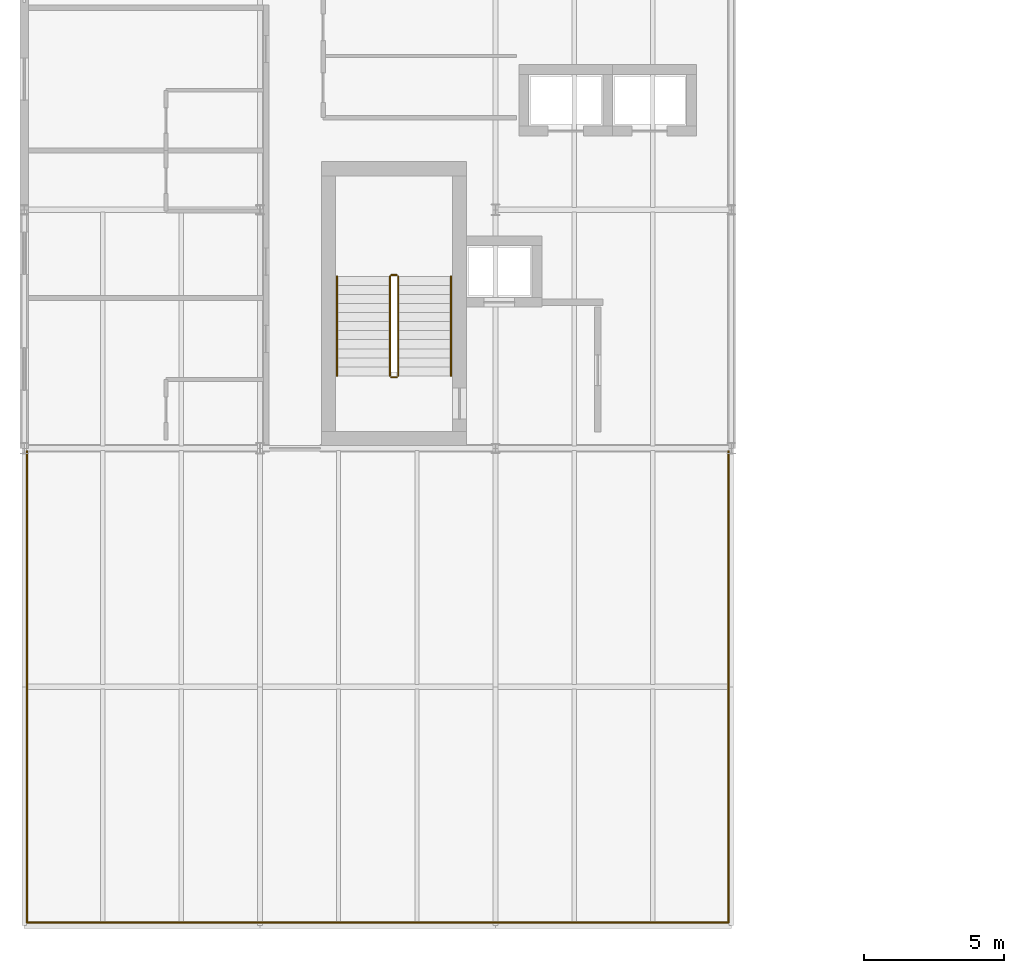
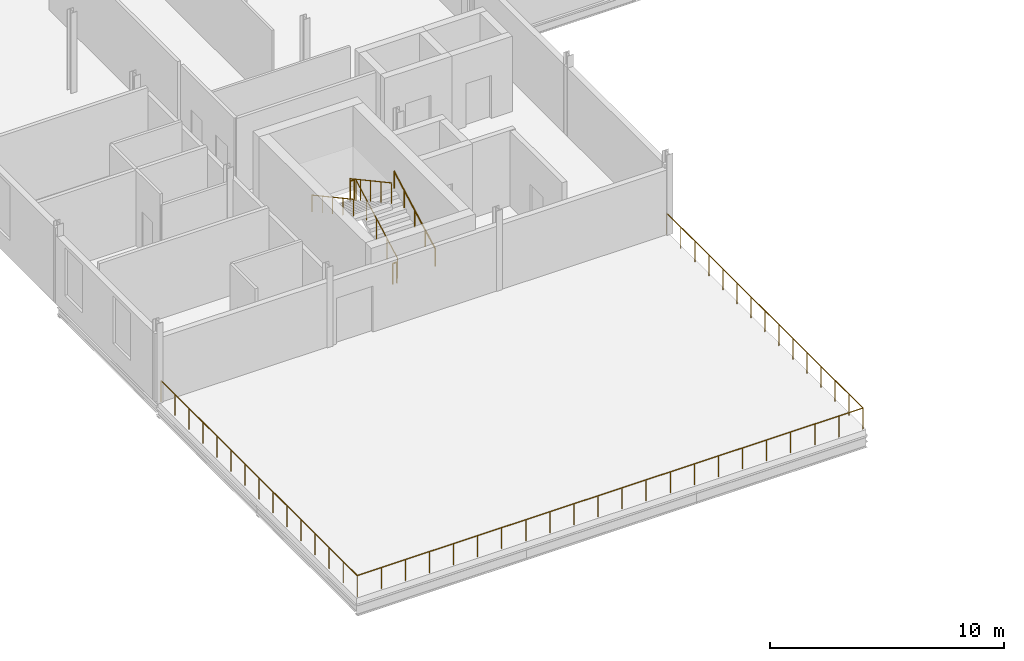
# One storey, part 19 of 22: 9 railings.
"""IFC4 building model written with IfcOpenShell, lengths in metres."""

from ifc_helpers import new_model, si_unit, direction, frame, origin, origin_2d, place, context, subcontext, project, spatial, circle, extrude, material, type_object, element, save


model = new_model("IFC4")

# Units and contexts
model_context = context("Model", 3, precision=1e-05, world=origin(), true_north=direction((0.0, 1.0)))
body_context = subcontext(model_context, "Body", "Model", "MODEL_VIEW")
ifc_project = project(units=[si_unit("LENGTHUNIT", "METRE"), si_unit("AREAUNIT", "SQUARE_METRE"), si_unit("VOLUMEUNIT", "CUBIC_METRE"), si_unit("PLANEANGLEUNIT", "RADIAN"), si_unit("MASSUNIT", "GRAM", prefix="KILO")], contexts=[model_context])

# Site, building, storey
site_placement = place(None, origin())
site = spatial("IfcSite", under=ifc_project, at=site_placement, CompositionType="ELEMENT")
building_placement = place(site_placement, origin())
building = spatial("IfcBuilding", under=site, at=building_placement, Name="Sefraquen Railside Congress Hotel", CompositionType="ELEMENT")
storey_placement = place(building_placement, frame((0.0, 0.0, 42.60009765625)))
storey = spatial("IfcBuildingStorey", under=building, at=storey_placement, Name="L10", CompositionType="ELEMENT", Elevation=42.60009765625)

# Railings
ifc_material = material(Name="Patinated wrought architectural bronze", Category="metal")
railing_type_1 = type_object("IfcRailingType", Name="TRL-BAL-110", PredefinedType="BALUSTRADE", material=ifc_material)
railing_1_placement = place(storey_placement, frame((0.10009765625, 79.39990234375, 0.0)))
element("IfcRailing", 1, at=railing_1_placement, inside=storey, type_object=railing_type_1, Name="Hotel L10 Sky Terrace balustrade", PredefinedType="BALUSTRADE", context=body_context, shape_type="SweptSolid", body=[
    extrude(circle(Radius=0.02392578125, at=origin_2d()), frame((0.0, 0.0, 1.09619140625), z_axis=(0.0, -1.0, 0.0), x_axis=(1.0, 0.0, 0.0)), (0.0, 0.0, 1.0), 16.7998046875),
    extrude(circle(Radius=0.02099609375, at=origin_2d()), origin(), (0.0, 0.0, 1.0), 1.072021484375),
    extrude(circle(Radius=0.02099609375, at=origin_2d()), frame((0.0, -1.199951171875, 0.0)), (0.0, 0.0, 1.0), 1.072021484375),
    extrude(circle(Radius=0.02099609375, at=origin_2d()), frame((0.0, -2.39990234375, 0.0)), (0.0, 0.0, 1.0), 1.072021484375),
    extrude(circle(Radius=0.02099609375, at=origin_2d()), frame((0.0, -3.599853515625, 0.0)), (0.0, 0.0, 1.0), 1.072021484375),
    extrude(circle(Radius=0.02099609375, at=origin_2d()), frame((0.0, -4.800048828125, 0.0)), (0.0, 0.0, 1.0), 1.072021484375),
    extrude(circle(Radius=0.02099609375, at=origin_2d()), frame((0.0, -6.0, 0.0)), (0.0, 0.0, 1.0), 1.072021484375),
    extrude(circle(Radius=0.02099609375, at=origin_2d()), frame((0.0, -7.199951171875, 0.0)), (0.0, 0.0, 1.0), 1.072021484375),
    extrude(circle(Radius=0.02099609375, at=origin_2d()), frame((0.0, -8.39990234375, 0.0)), (0.0, 0.0, 1.0), 1.072021484375),
    extrude(circle(Radius=0.02099609375, at=origin_2d()), frame((0.0, -9.599853515625, 0.0)), (0.0, 0.0, 1.0), 1.072021484375),
    extrude(circle(Radius=0.02099609375, at=origin_2d()), frame((0.0, -10.7998046875, 0.0)), (0.0, 0.0, 1.0), 1.072021484375),
    extrude(circle(Radius=0.02099609375, at=origin_2d()), frame((0.0, -11.999755859375, 0.0)), (0.0, 0.0, 1.0), 1.072021484375),
    extrude(circle(Radius=0.02099609375, at=origin_2d()), frame((0.0, -13.199951171875, 0.0)), (0.0, 0.0, 1.0), 1.072021484375),
    extrude(circle(Radius=0.02099609375, at=origin_2d()), frame((0.0, -14.39990234375, 0.0)), (0.0, 0.0, 1.0), 1.072021484375),
    extrude(circle(Radius=0.02099609375, at=origin_2d()), frame((0.0, -15.599853515625, 0.0)), (0.0, 0.0, 1.0), 1.072021484375),
    extrude(circle(Radius=0.02099609375, at=origin_2d()), frame((0.0, -16.7998046875, 0.0)), (0.0, 0.0, 1.0), 1.072021484375),
])
railing_2_placement = place(storey_placement, frame((0.10009765625, 62.60009765625, 0.0)))
element("IfcRailing", 2, at=railing_2_placement, inside=storey, type_object=railing_type_1, Name="Hotel L10 Sky Terrace balustrade", PredefinedType="BALUSTRADE", context=body_context, shape_type="SweptSolid", body=[
    extrude(circle(Radius=0.02392578125, at=origin_2d()), frame((0.0, 0.0, 1.09619140625), z_axis=(1.0, 0.0, 0.0), x_axis=(0.0, 1.0, 0.0)), (0.0, 0.0, 1.0), 25.0),
    extrude(circle(Radius=0.02099609375, at=origin_2d()), origin(), (0.0, 0.0, 1.0), 1.072021484375),
    extrude(circle(Radius=0.02099609375, at=origin_2d()), frame((1.1904296875, 0.0, 0.0)), (0.0, 0.0, 1.0), 1.072021484375),
    extrude(circle(Radius=0.02099609375, at=origin_2d()), frame((2.380859375, 0.0, 0.0)), (0.0, 0.0, 1.0), 1.072021484375),
    extrude(circle(Radius=0.02099609375, at=origin_2d()), frame((3.571533203125, 0.0, 0.0)), (0.0, 0.0, 1.0), 1.072021484375),
    extrude(circle(Radius=0.02099609375, at=origin_2d()), frame((4.761962890625, 0.0, 0.0)), (0.0, 0.0, 1.0), 1.072021484375),
    extrude(circle(Radius=0.02099609375, at=origin_2d()), frame((5.952392578125, 0.0, 0.0)), (0.0, 0.0, 1.0), 1.072021484375),
    extrude(circle(Radius=0.02099609375, at=origin_2d()), frame((7.142822265625, 0.0, 0.0)), (0.0, 0.0, 1.0), 1.072021484375),
    extrude(circle(Radius=0.02099609375, at=origin_2d()), frame((8.333251953125, 0.0, 0.0)), (0.0, 0.0, 1.0), 1.072021484375),
    extrude(circle(Radius=0.02099609375, at=origin_2d()), frame((9.52392578125, 0.0, 0.0)), (0.0, 0.0, 1.0), 1.072021484375),
    extrude(circle(Radius=0.02099609375, at=origin_2d()), frame((10.71435546875, 0.0, 0.0)), (0.0, 0.0, 1.0), 1.072021484375),
    extrude(circle(Radius=0.02099609375, at=origin_2d()), frame((11.90478515625, 0.0, 0.0)), (0.0, 0.0, 1.0), 1.072021484375),
    extrude(circle(Radius=0.02099609375, at=origin_2d()), frame((13.09521484375, 0.0, 0.0)), (0.0, 0.0, 1.0), 1.072021484375),
    extrude(circle(Radius=0.02099609375, at=origin_2d()), frame((14.28564453125, 0.0, 0.0)), (0.0, 0.0, 1.0), 1.072021484375),
    extrude(circle(Radius=0.02099609375, at=origin_2d()), frame((15.47607421875, 0.0, 0.0)), (0.0, 0.0, 1.0), 1.072021484375),
    extrude(circle(Radius=0.02099609375, at=origin_2d()), frame((16.666748046875, 0.0, 0.0)), (0.0, 0.0, 1.0), 1.072021484375),
    extrude(circle(Radius=0.02099609375, at=origin_2d()), frame((17.857177734375, 0.0, 0.0)), (0.0, 0.0, 1.0), 1.072021484375),
    extrude(circle(Radius=0.02099609375, at=origin_2d()), frame((19.047607421875, 0.0, 0.0)), (0.0, 0.0, 1.0), 1.072021484375),
    extrude(circle(Radius=0.02099609375, at=origin_2d()), frame((20.238037109375, 0.0, 0.0)), (0.0, 0.0, 1.0), 1.072021484375),
    extrude(circle(Radius=0.02099609375, at=origin_2d()), frame((21.428466796875, 0.0, 0.0)), (0.0, 0.0, 1.0), 1.072021484375),
    extrude(circle(Radius=0.02099609375, at=origin_2d()), frame((22.619140625, 0.0, 0.0)), (0.0, 0.0, 1.0), 1.072021484375),
    extrude(circle(Radius=0.02099609375, at=origin_2d()), frame((23.8095703125, 0.0, 0.0)), (0.0, 0.0, 1.0), 1.072021484375),
    extrude(circle(Radius=0.02099609375, at=origin_2d()), frame((25.0, 0.0, 0.0)), (0.0, 0.0, 1.0), 1.072021484375),
])
railing_3_placement = place(storey_placement, frame((25.10009765625, 62.60009765625, 0.0)))
element("IfcRailing", 3, at=railing_3_placement, inside=storey, type_object=railing_type_1, Name="Hotel L10 Sky Terrace balustrade", PredefinedType="BALUSTRADE", context=body_context, shape_type="SweptSolid", body=[
    extrude(circle(Radius=0.02392578125, at=origin_2d()), frame((0.0, 0.0, 1.09619140625), z_axis=(0.0, 1.0, 0.0), x_axis=(-1.0, 0.0, 0.0)), (0.0, 0.0, 1.0), 16.7998046875),
    extrude(circle(Radius=0.02099609375, at=origin_2d()), origin(), (0.0, 0.0, 1.0), 1.072021484375),
    extrude(circle(Radius=0.02099609375, at=origin_2d()), frame((0.0, 1.199951171875, 0.0)), (0.0, 0.0, 1.0), 1.072021484375),
    extrude(circle(Radius=0.02099609375, at=origin_2d()), frame((0.0, 2.39990234375, 0.0)), (0.0, 0.0, 1.0), 1.072021484375),
    extrude(circle(Radius=0.02099609375, at=origin_2d()), frame((0.0, 3.599853515625, 0.0)), (0.0, 0.0, 1.0), 1.072021484375),
    extrude(circle(Radius=0.02099609375, at=origin_2d()), frame((0.0, 4.800048828125, 0.0)), (0.0, 0.0, 1.0), 1.072021484375),
    extrude(circle(Radius=0.02099609375, at=origin_2d()), frame((0.0, 6.0, 0.0)), (0.0, 0.0, 1.0), 1.072021484375),
    extrude(circle(Radius=0.02099609375, at=origin_2d()), frame((0.0, 7.199951171875, 0.0)), (0.0, 0.0, 1.0), 1.072021484375),
    extrude(circle(Radius=0.02099609375, at=origin_2d()), frame((0.0, 8.39990234375, 0.0)), (0.0, 0.0, 1.0), 1.072021484375),
    extrude(circle(Radius=0.02099609375, at=origin_2d()), frame((0.0, 9.599853515625, 0.0)), (0.0, 0.0, 1.0), 1.072021484375),
    extrude(circle(Radius=0.02099609375, at=origin_2d()), frame((0.0, 10.7998046875, 0.0)), (0.0, 0.0, 1.0), 1.072021484375),
    extrude(circle(Radius=0.02099609375, at=origin_2d()), frame((0.0, 11.999755859375, 0.0)), (0.0, 0.0, 1.0), 1.072021484375),
    extrude(circle(Radius=0.02099609375, at=origin_2d()), frame((0.0, 13.199951171875, 0.0)), (0.0, 0.0, 1.0), 1.072021484375),
    extrude(circle(Radius=0.02099609375, at=origin_2d()), frame((0.0, 14.39990234375, 0.0)), (0.0, 0.0, 1.0), 1.072021484375),
    extrude(circle(Radius=0.02099609375, at=origin_2d()), frame((0.0, 15.599853515625, 0.0)), (0.0, 0.0, 1.0), 1.072021484375),
    extrude(circle(Radius=0.02099609375, at=origin_2d()), frame((0.0, 16.7998046875, 0.0)), (0.0, 0.0, 1.0), 1.072021484375),
])
railing_4_placement = place(storey_placement, frame((13.330078125, 82.080078125, 0.1748046875)))
element("IfcRailing", 4, at=railing_4_placement, inside=storey, type_object=railing_type_1, Name="L10 ST-H01 stair guard 1", PredefinedType="BALUSTRADE", context=body_context, shape_type="SweptSolid", body=[
    extrude(circle(Radius=0.02392578125, at=origin_2d()), frame((0.0, 0.0, 1.076171875), z_axis=(0.0, 0.878618985891, 0.477523483854), x_axis=(-1.0, 0.0, 0.0)), (0.0, 0.0, 1.0), 4.03125),
    extrude(circle(Radius=0.02099609375, at=origin_2d()), origin(), (0.0, 0.0, 1.0), 1.052001953125),
    extrude(circle(Radius=0.02099609375, at=origin_2d()), frame((0.0, 0.885498046875, 0.481201171875)), (0.0, 0.0, 1.0), 1.052001953125),
    extrude(circle(Radius=0.02099609375, at=origin_2d()), frame((0.0, 1.77099609375, 0.96240234375)), (0.0, 0.0, 1.0), 1.052001953125),
    extrude(circle(Radius=0.02099609375, at=origin_2d()), frame((0.0, 2.656494140625, 1.44384765625)), (0.0, 0.0, 1.0), 1.052001953125),
    extrude(circle(Radius=0.02099609375, at=origin_2d()), frame((0.0, 3.5419921875, 1.925048828125)), (0.0, 0.0, 1.0), 1.052001953125),
])
railing_5_placement = place(storey_placement, frame((13.280029296875, 85.672119140625, 2.099853515625)))
element("IfcRailing", 5, at=railing_5_placement, inside=storey, type_object=railing_type_1, Name="L10 ST-H01 stair guard 2", PredefinedType="BALUSTRADE", context=body_context, shape_type="SweptSolid", body=[
    extrude(circle(Radius=0.02392578125, at=origin_2d()), frame((0.0, 0.0, 1.076171875), z_axis=(-1.0, 0.0, 0.0), x_axis=(0.0, -1.0, 0.0)), (0.0, 0.0, 1.0), 0.199951171875),
    extrude(circle(Radius=0.02099609375, at=origin_2d()), origin(), (0.0, 0.0, 1.0), 1.052001953125),
    extrude(circle(Radius=0.02099609375, at=origin_2d()), frame((-0.199951171875, 0.0, 0.0)), (0.0, 0.0, 1.0), 1.052001953125),
])
railing_6_placement = place(storey_placement, frame((13.030029296875, 85.6220703125, 2.27490234375)))
element("IfcRailing", 6, at=railing_6_placement, inside=storey, type_object=railing_type_1, Name="L10 ST-H01 stair guard 3", PredefinedType="BALUSTRADE", context=body_context, shape_type="SweptSolid", body=[
    extrude(circle(Radius=0.02392578125, at=origin_2d()), frame((0.0, 0.0, 1.076171875), z_axis=(0.0, -0.878618985891, 0.477523483854), x_axis=(1.0, 0.0, 0.0)), (0.0, 0.0, 1.0), 4.03125),
    extrude(circle(Radius=0.02099609375, at=origin_2d()), origin(), (0.0, 0.0, 1.0), 1.052001953125),
    extrude(circle(Radius=0.02099609375, at=origin_2d()), frame((0.0, -0.885498046875, 0.481201171875)), (0.0, 0.0, 1.0), 1.052001953125),
    extrude(circle(Radius=0.02099609375, at=origin_2d()), frame((0.0, -1.77099609375, 0.96240234375)), (0.0, 0.0, 1.0), 1.052001953125),
    extrude(circle(Radius=0.02099609375, at=origin_2d()), frame((0.0, -2.656494140625, 1.44384765625)), (0.0, 0.0, 1.0), 1.052001953125),
    extrude(circle(Radius=0.02099609375, at=origin_2d()), frame((0.0, -3.5419921875, 1.925048828125)), (0.0, 0.0, 1.0), 1.052001953125),
])
railing_7_placement = place(storey_placement, frame((13.280029296875, 82.030029296875, 0.0)))
element("IfcRailing", 7, at=railing_7_placement, inside=storey, type_object=railing_type_1, Name="L10 ST-H01 stair guard 4", PredefinedType="BALUSTRADE", context=body_context, shape_type="SweptSolid", body=[
    extrude(circle(Radius=0.02392578125, at=origin_2d()), frame((0.0, 0.0, 1.076171875), z_axis=(-1.0, 0.0, 0.0), x_axis=(0.0, -1.0, 0.0)), (0.0, 0.0, 1.0), 0.199951171875),
    extrude(circle(Radius=0.02099609375, at=origin_2d()), origin(), (0.0, 0.0, 1.0), 1.052001953125),
    extrude(circle(Radius=0.02099609375, at=origin_2d()), frame((-0.199951171875, 0.0, 0.0)), (0.0, 0.0, 1.0), 1.052001953125),
])
railing_type_2 = type_object("IfcRailingType", Name="TRL-HR-090", PredefinedType="HANDRAIL", material=ifc_material)
railing_8_placement = place(storey_placement, frame((15.2099609375, 82.080078125, 0.1748046875)))
element("IfcRailing", 8, at=railing_8_placement, inside=storey, type_object=railing_type_2, Name="L10 ST-H01 stair handrail 1", PredefinedType="HANDRAIL", context=body_context, shape_type="SweptSolid", body=[
    extrude(circle(Radius=0.02392578125, at=origin_2d()), frame((0.0, 0.0, 0.8759765625), z_axis=(0.0, 0.878618985891, 0.477523483854), x_axis=(-1.0, 0.0, 0.0)), (0.0, 0.0, 1.0), 4.03125),
    extrude(circle(Radius=0.02099609375, at=origin_2d()), origin(), (0.0, 0.0, 1.0), 0.851806640625),
    extrude(circle(Radius=0.02099609375, at=origin_2d()), frame((0.0, 0.885498046875, 0.481201171875)), (0.0, 0.0, 1.0), 0.851806640625),
    extrude(circle(Radius=0.02099609375, at=origin_2d()), frame((0.0, 1.77099609375, 0.96240234375)), (0.0, 0.0, 1.0), 0.851806640625),
    extrude(circle(Radius=0.02099609375, at=origin_2d()), frame((0.0, 2.656494140625, 1.44384765625)), (0.0, 0.0, 1.0), 0.851806640625),
    extrude(circle(Radius=0.02099609375, at=origin_2d()), frame((0.0, 3.5419921875, 1.925048828125)), (0.0, 0.0, 1.0), 0.851806640625),
])
railing_9_placement = place(storey_placement, frame((11.14990234375, 85.6220703125, 2.27490234375)))
element("IfcRailing", 9, at=railing_9_placement, inside=storey, type_object=railing_type_2, Name="L10 ST-H01 stair handrail 2", PredefinedType="HANDRAIL", context=body_context, shape_type="SweptSolid", body=[
    extrude(circle(Radius=0.02392578125, at=origin_2d()), frame((0.0, 0.0, 0.8759765625), z_axis=(0.0, -0.878618985891, 0.477523483854), x_axis=(1.0, 0.0, 0.0)), (0.0, 0.0, 1.0), 4.03125),
    extrude(circle(Radius=0.02099609375, at=origin_2d()), origin(), (0.0, 0.0, 1.0), 0.851806640625),
    extrude(circle(Radius=0.02099609375, at=origin_2d()), frame((0.0, -0.885498046875, 0.481201171875)), (0.0, 0.0, 1.0), 0.851806640625),
    extrude(circle(Radius=0.02099609375, at=origin_2d()), frame((0.0, -1.77099609375, 0.96240234375)), (0.0, 0.0, 1.0), 0.851806640625),
    extrude(circle(Radius=0.02099609375, at=origin_2d()), frame((0.0, -2.656494140625, 1.44384765625)), (0.0, 0.0, 1.0), 0.851806640625),
    extrude(circle(Radius=0.02099609375, at=origin_2d()), frame((0.0, -3.5419921875, 1.925048828125)), (0.0, 0.0, 1.0), 0.851806640625),
])

save(model, "model.ifc")
